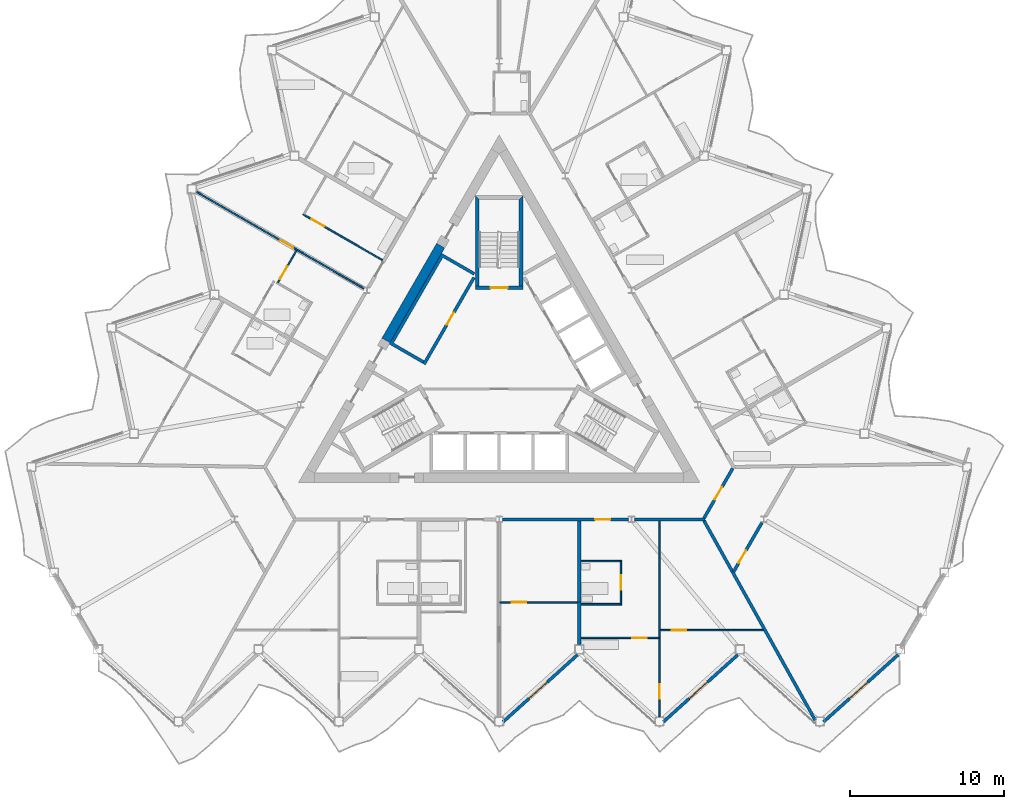
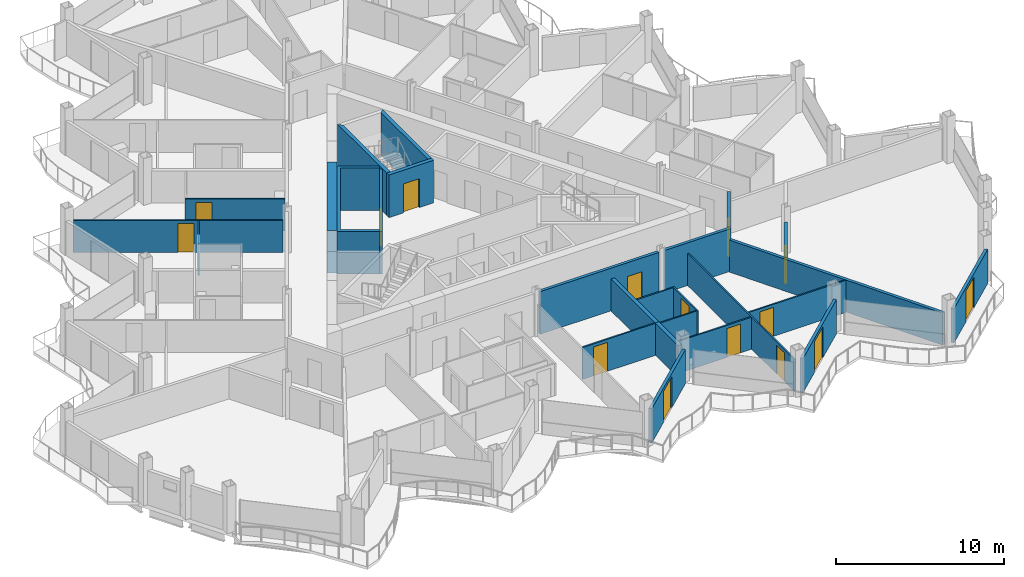
# One storey, part 15 of 26: 26 walls, 16 doors, 16 openings.
"""IFC4 building model written with IfcOpenShell, lengths in metres."""

from ifc_helpers import new_model, si_unit, direction, frame, frame_2d, origin, place, context, subcontext, project, spatial, polyline, rectangle, outline, extrude, material, layer, layer_set, type_object, element, fill, save


model = new_model("IFC4")

# Units and contexts
model_context = context("Model", 3, precision=1e-05, world=origin(), true_north=direction((0.0, 1.0)))
body_context = subcontext(model_context, "Body", "Model", "MODEL_VIEW")
ifc_project = project(units=[si_unit("LENGTHUNIT", "METRE"), si_unit("AREAUNIT", "SQUARE_METRE"), si_unit("VOLUMEUNIT", "CUBIC_METRE"), si_unit("PLANEANGLEUNIT", "RADIAN"), si_unit("MASSUNIT", "GRAM", prefix="KILO")], contexts=[model_context])

# Site, building, storey
site_placement = place(None, origin())
site = spatial("IfcSite", under=ifc_project, at=site_placement, CompositionType="ELEMENT")
building_placement = place(site_placement, origin())
building = spatial("IfcBuilding", under=site, at=building_placement, Name="Cormorant Prow Tower", CompositionType="ELEMENT")
storey_placement = place(building_placement, frame((0.0, 0.0, 329.0)))
storey = spatial("IfcBuildingStorey", under=building, at=storey_placement, Name="L73", CompositionType="ELEMENT", Elevation=329.0)

# Wall
ifc_material_1 = material(Name="Concrete 8000 psi", Category="concrete")
ifc_layer_1 = layer(ifc_material_1, 0.60009765625)
ifc_layer_set_1 = layer_set([ifc_layer_1], Name="Concrete 8000 psi")
wall_type_1 = type_object("IfcWallType", Name="Core shear wall 600", PredefinedType="SHEAR", material=ifc_layer_set_1)
wall_1_placement = place(storey_placement, frame((-3.794189453125, 7.839599609375, 0.0), z_axis=(0.0, 0.0, 1.0), x_axis=(-0.499974747889, -0.866039982607, 0.0)))
element("IfcWall", 1, at=wall_1_placement, inside=storey, type_object=wall_type_1, Name="Core wall", PredefinedType="SHEAR", context=body_context, shape_type="SweptSolid", body=[
    extrude(rectangle(XDim=7.092041015625, YDim=0.60009765625, at=frame_2d((3.5458984375, 0.0))), origin(), (0.0, 0.0, 1.0), 3.10009765625),
])

# Wall, opening, door
ifc_material_2 = material(Name="Gypsum board corridor wall")
ifc_layer_2 = layer(ifc_material_2, 0.199951171875)
ifc_layer_set_2 = layer_set([ifc_layer_2], Name="Gypsum board corridor wall")
wall_type_2 = type_object("IfcWallType", Name="Corridor wall 200", PredefinedType="PARTITIONING", material=ifc_layer_set_2)
wall_2_placement = place(storey_placement, frame((0.207763671875, -9.905517578125, 0.0), z_axis=(0.0, 0.0, 1.0), x_axis=(1.0, 0.0, 0.0)))
wall_2 = element("IfcWall", 2, at=wall_2_placement, inside=storey, type_object=wall_type_2, Name="Corridor wall", PredefinedType="PARTITIONING", context=body_context, shape_type="SweptSolid", body=[
    extrude(rectangle(XDim=8.1630859375, YDim=0.199951171875, at=frame_2d((4.08154296875, 0.0))), origin(), (0.0, 0.0, 1.0), 3.10009765625),
])
opening_1_placement = place(wall_2_placement, frame((6.00439453125, 0.0, 0.0)))
opening_1 = element("IfcOpeningElement", 3, at=opening_1_placement, cuts=wall_2, Name="Opening L73-F11", PredefinedType="OPENING", context=body_context, shape_type="SweptSolid", body=[
    extrude(rectangle(XDim=1.0, YDim=2.10009765625, at=frame_2d((0.5, 1.050048828125))), frame((0.0, 0.10986328125, 0.0), z_axis=(0.0, -1.0, 0.0), x_axis=(1.0, 0.0, 0.0)), (0.0, 0.0, 1.0), 0.219970703125),
])
ifc_material_3 = material(Name="Timber door leaf", Category="wood")
door_type_1 = type_object("IfcDoorType", Name="Flat or room entrance door 1000x2100", OperationType="NOTDEFINED", PredefinedType="DOOR", material=ifc_material_3)
door_1_placement = place(opening_1_placement, origin())
door_1 = element("IfcDoor", 4, at=door_1_placement, inside=storey, type_object=door_type_1, Name="Living room door", OperationType="SINGLE_SWING_LEFT", OverallHeight=2.10009765625, OverallWidth=1.0, PredefinedType="DOOR", context=body_context, shape_type="SweptSolid", body=[
    extrude(rectangle(XDim=1.0, YDim=2.10009765625, at=frame_2d((0.5, 1.050048828125))), frame((0.0, 0.02490234375, 0.0), z_axis=(0.0, -1.0, 0.0), x_axis=(1.0, 0.0, 0.0)), (0.0, 0.0, 1.0), 0.050048828125),
])
fill(opening_1, door_1)

# Wall
wall_3_placement = place(storey_placement, frame((8.7861328125, -9.905517578125, 0.0), z_axis=(0.0, 0.0, 1.0), x_axis=(1.0, 0.0, 0.0)))
element("IfcWall", 5, at=wall_3_placement, inside=storey, type_object=wall_type_2, Name="Corridor wall", PredefinedType="PARTITIONING", context=body_context, shape_type="SweptSolid", body=[
    extrude(rectangle(XDim=4.544677734375, YDim=0.199951171875, at=frame_2d((2.2724609375, 0.0))), origin(), (0.0, 0.0, 1.0), 3.10009765625),
])

# Wall, opening, door
wall_4_placement = place(storey_placement, frame((13.281005859375, -9.819091796875, 0.0), z_axis=(0.0, 0.0, 1.0), x_axis=(0.499958791762, 0.866049194065, 0.0)))
wall_4 = element("IfcWall", 6, at=wall_4_placement, inside=storey, type_object=wall_type_2, Name="Corridor wall", PredefinedType="PARTITIONING", context=body_context, shape_type="SweptSolid", body=[
    extrude(rectangle(XDim=3.725830078125, YDim=0.199951171875, at=frame_2d((1.86279296875, 0.0))), origin(), (0.0, 0.0, 1.0), 3.10009765625),
])
opening_2_placement = place(wall_4_placement, frame((1.387939453125, 0.0, 0.0)))
opening_2 = element("IfcOpeningElement", 7, at=opening_2_placement, cuts=wall_4, Name="Opening L73-F16", PredefinedType="OPENING", context=body_context, shape_type="SweptSolid", body=[
    extrude(rectangle(XDim=0.949951171875, YDim=2.10009765625, at=frame_2d((0.47509765625, 1.050048828125))), frame((0.0, 0.10986328125, 0.0), z_axis=(0.0, -1.0, 0.0), x_axis=(1.0, 0.0, 0.0)), (0.0, 0.0, 1.0), 0.219970703125),
])
ifc_material_4 = material(Name="Timber door leaf", Category="wood")
door_type_2 = type_object("IfcDoorType", Name="Store door 950x2100", OperationType="NOTDEFINED", PredefinedType="DOOR", material=ifc_material_4)
door_2_placement = place(opening_2_placement, origin())
door_2 = element("IfcDoor", 8, at=door_2_placement, inside=storey, type_object=door_type_2, Name="Refuse room door", OperationType="SINGLE_SWING_LEFT", OverallHeight=2.10009765625, OverallWidth=0.949951171875, PredefinedType="DOOR", context=body_context, shape_type="SweptSolid", body=[
    extrude(rectangle(XDim=0.949951171875, YDim=2.10009765625, at=frame_2d((0.47509765625, 1.050048828125))), frame((0.0, 0.02490234375, 0.0), z_axis=(0.0, -1.0, 0.0), x_axis=(1.0, 0.0, 0.0)), (0.0, 0.0, 1.0), 0.050048828125),
])
fill(opening_2, door_2)

# Wall
ifc_material_5 = material(Name="Gypsum board demising wall")
ifc_layer_3 = layer(ifc_material_5, 0.199951171875)
ifc_layer_set_3 = layer_set([ifc_layer_3], Name="Gypsum board demising wall")
wall_type_3 = type_object("IfcWallType", Name="Demising wall 200", PredefinedType="PARTITIONING", material=ifc_layer_set_3)
wall_5_placement = place(storey_placement, frame((13.279541015625, -9.992919921875, 0.0), z_axis=(0.0, 0.0, 1.0), x_axis=(0.486918292843, -0.873447523378, 0.0)))
element("IfcWall", 9, at=wall_5_placement, inside=storey, type_object=wall_type_3, Name="Demising wall", PredefinedType="PARTITIONING", context=body_context, shape_type="SweptSolid", body=[
    extrude(rectangle(XDim=14.80078125, YDim=0.199951171875, at=frame_2d((7.400390625, 0.0))), origin(), (0.0, 0.0, 1.0), 2.330078125),
])

# Wall, opening, door
wall_6_placement = place(storey_placement, frame((15.19384765625, -13.3056640625, 0.0), z_axis=(0.0, 0.0, 1.0), x_axis=(0.50002820729, 0.866009117685, 0.0)))
wall_6 = element("IfcWall", 10, at=wall_6_placement, inside=storey, type_object=wall_type_3, Name="Demising wall", PredefinedType="PARTITIONING", context=body_context, shape_type="SweptSolid", body=[
    extrude(rectangle(XDim=3.686279296875, YDim=0.199951171875, at=frame_2d((1.84326171875, 0.0))), origin(), (0.0, 0.0, 1.0), 2.330078125),
])
opening_3_placement = place(wall_6_placement, frame((0.656494140625, 0.0, 0.0)))
opening_3 = element("IfcOpeningElement", 11, at=opening_3_placement, cuts=wall_6, Name="Opening L73-F17", PredefinedType="OPENING", context=body_context, shape_type="SweptSolid", body=[
    extrude(rectangle(XDim=0.949951171875, YDim=2.10009765625, at=frame_2d((0.47509765625, 1.050048828125))), frame((0.0, 0.10986328125, 0.0), z_axis=(0.0, -1.0, 0.0), x_axis=(1.0, 0.0, 0.0)), (0.0, 0.0, 1.0), 0.219970703125),
])
door_3_placement = place(opening_3_placement, origin())
door_3 = element("IfcDoor", 12, at=door_3_placement, inside=storey, type_object=door_type_2, Name="Bicycle store door", OperationType="SINGLE_SWING_LEFT", OverallHeight=2.10009765625, OverallWidth=0.949951171875, PredefinedType="DOOR", context=body_context, shape_type="SweptSolid", body=[
    extrude(rectangle(XDim=0.949951171875, YDim=2.10009765625, at=frame_2d((0.47509765625, 1.050048828125))), frame((0.0, 0.02490234375, 0.0), z_axis=(0.0, -1.0, 0.0), x_axis=(1.0, 0.0, 0.0)), (0.0, 0.0, 1.0), 0.050048828125),
])
fill(opening_3, door_3)

ifc_material_6 = material(Name="Gypsum board partition")
ifc_layer_4 = layer(ifc_material_6, 0.10009765625)
ifc_layer_set_4 = layer_set([ifc_layer_4], Name="Gypsum board partition")
wall_type_4 = type_object("IfcWallType", Name="Internal partition 100", PredefinedType="PARTITIONING", material=ifc_layer_set_4)
wall_7_placement = place(storey_placement, frame((10.389404296875, -22.697998046875, 0.0), z_axis=(0.0, 0.0, 1.0), x_axis=(0.0, 1.0, 0.0)))
wall_7 = element("IfcWall", 13, at=wall_7_placement, inside=storey, type_object=wall_type_4, Name="Internal partition", PredefinedType="PARTITIONING", context=body_context, shape_type="SweptSolid", body=[
    extrude(rectangle(XDim=12.6923828125, YDim=0.10009765625, at=frame_2d((6.34619140625, 0.0))), origin(), (0.0, 0.0, 1.0), 2.330078125),
])
opening_4_placement = place(wall_7_placement, frame((1.1533203125, 0.0, 0.0)))
opening_4 = element("IfcOpeningElement", 14, at=opening_4_placement, cuts=wall_7, Name="Opening L73-F14", PredefinedType="OPENING", context=body_context, shape_type="SweptSolid", body=[
    extrude(rectangle(XDim=0.949951171875, YDim=2.10009765625, at=frame_2d((0.47509765625, 1.050048828125))), frame((0.0, 0.06005859375, 0.0), z_axis=(0.0, -1.0, 0.0), x_axis=(1.0, 0.0, 0.0)), (0.0, 0.0, 1.0), 0.1201171875),
])
ifc_material_7 = material(Name="Timber door leaf", Category="wood")
door_type_3 = type_object("IfcDoorType", Name="Bathroom door 950x2100", OperationType="NOTDEFINED", PredefinedType="DOOR", material=ifc_material_7)
door_4_placement = place(opening_4_placement, origin())
door_4 = element("IfcDoor", 15, at=door_4_placement, inside=storey, type_object=door_type_3, Name="Kitchen door", OperationType="SINGLE_SWING_LEFT", OverallHeight=2.10009765625, OverallWidth=0.949951171875, PredefinedType="DOOR", context=body_context, shape_type="SweptSolid", body=[
    extrude(rectangle(XDim=0.949951171875, YDim=2.10009765625, at=frame_2d((0.47509765625, 1.050048828125))), frame((0.0, 0.02490234375, 0.0), z_axis=(0.0, -1.0, 0.0), x_axis=(1.0, 0.0, 0.0)), (0.0, 0.0, 1.0), 0.050048828125),
])
fill(opening_4, door_4)

wall_8_placement = place(storey_placement, frame((-19.615478515625, 11.3251953125, 0.0), z_axis=(0.0, 0.0, 1.0), x_axis=(0.86602139559, -0.500006942333, 0.0)))
wall_8 = element("IfcWall", 16, at=wall_8_placement, inside=storey, type_object=wall_type_4, Name="Internal partition", PredefinedType="PARTITIONING", context=body_context, shape_type="SweptSolid", body=[
    extrude(rectangle(XDim=12.504638671875, YDim=0.10009765625, at=frame_2d((6.25244140625, 0.0))), origin(), (0.0, 0.0, 1.0), 2.330078125),
])
opening_5_placement = place(wall_8_placement, frame((6.27978515625, 0.0, 0.0)))
opening_5 = element("IfcOpeningElement", 17, at=opening_5_placement, cuts=wall_8, Name="Opening L73-F46", PredefinedType="OPENING", context=body_context, shape_type="SweptSolid", body=[
    extrude(rectangle(XDim=0.949951171875, YDim=2.10009765625, at=frame_2d((0.47509765625, 1.050048828125))), frame((0.0, 0.06005859375, 0.0), z_axis=(0.0, -1.0, 0.0), x_axis=(1.0, 0.0, 0.0)), (0.0, 0.0, 1.0), 0.1201171875),
])
door_5_placement = place(opening_5_placement, origin())
door_5 = element("IfcDoor", 18, at=door_5_placement, inside=storey, type_object=door_type_3, Name="Living room door", OperationType="SINGLE_SWING_RIGHT", OverallHeight=2.10009765625, OverallWidth=0.949951171875, PredefinedType="DOOR", context=body_context, shape_type="SweptSolid", body=[
    extrude(rectangle(XDim=0.949951171875, YDim=2.10009765625, at=frame_2d((0.47509765625, 1.050048828125))), frame((0.0, 0.02490234375, 0.0), z_axis=(0.0, -1.0, 0.0), x_axis=(1.0, 0.0, 0.0)), (0.0, 0.0, 1.0), 0.050048828125),
])
fill(opening_5, door_5)

wall_9_placement = place(storey_placement, frame((10.439453125, -17.083740234375, 0.0), z_axis=(0.0, 0.0, 1.0), x_axis=(1.0, 0.0, 0.0)))
wall_9 = element("IfcWall", 19, at=wall_9_placement, inside=storey, type_object=wall_type_4, Name="Internal partition", PredefinedType="PARTITIONING", context=body_context, shape_type="SweptSolid", body=[
    extrude(rectangle(XDim=6.69287109375, YDim=0.10009765625, at=frame_2d((3.346435546875, 0.0))), origin(), (0.0, 0.0, 1.0), 2.330078125),
])
opening_6_placement = place(wall_9_placement, frame((0.754150390625, 0.0, 0.0)))
opening_6 = element("IfcOpeningElement", 20, at=opening_6_placement, cuts=wall_9, Name="Opening L73-F15", PredefinedType="OPENING", context=body_context, shape_type="SweptSolid", body=[
    extrude(rectangle(XDim=0.949951171875, YDim=2.10009765625, at=frame_2d((0.47509765625, 1.050048828125))), frame((0.0, 0.06005859375, 0.0), z_axis=(0.0, -1.0, 0.0), x_axis=(1.0, 0.0, 0.0)), (0.0, 0.0, 1.0), 0.1201171875),
])
door_6_placement = place(opening_6_placement, origin())
door_6 = element("IfcDoor", 21, at=door_6_placement, inside=storey, type_object=door_type_3, Name="Bedroom door", OperationType="SINGLE_SWING_LEFT", OverallHeight=2.10009765625, OverallWidth=0.949951171875, PredefinedType="DOOR", context=body_context, shape_type="SweptSolid", body=[
    extrude(rectangle(XDim=0.949951171875, YDim=2.10009765625, at=frame_2d((0.47509765625, 1.050048828125))), frame((0.0, 0.02490234375, 0.0), z_axis=(0.0, -1.0, 0.0), x_axis=(1.0, 0.0, 0.0)), (0.0, 0.0, 1.0), 0.050048828125),
])
fill(opening_6, door_6)

wall_10_placement = place(storey_placement, frame((-12.720703125, 9.87841796875, 0.0), z_axis=(0.0, 0.0, 1.0), x_axis=(0.866027751316, -0.499995933934, 0.0)))
wall_10 = element("IfcWall", 22, at=wall_10_placement, inside=storey, type_object=wall_type_4, Name="Internal partition", PredefinedType="PARTITIONING", context=body_context, shape_type="SweptSolid", body=[
    extrude(rectangle(XDim=5.9501953125, YDim=0.10009765625, at=frame_2d((2.97509765625, 0.0))), origin(), (0.0, 0.0, 1.0), 2.330078125),
])
opening_7_placement = place(wall_10_placement, frame((0.64990234375, 0.0, 0.0)))
opening_7 = element("IfcOpeningElement", 23, at=opening_7_placement, cuts=wall_10, Name="Opening L73-F45", PredefinedType="OPENING", context=body_context, shape_type="SweptSolid", body=[
    extrude(rectangle(XDim=0.949951171875, YDim=2.10009765625, at=frame_2d((0.47509765625, 1.050048828125))), frame((0.0, 0.06005859375, 0.0), z_axis=(0.0, -1.0, 0.0), x_axis=(1.0, 0.0, 0.0)), (0.0, 0.0, 1.0), 0.1201171875),
])
door_7_placement = place(opening_7_placement, origin())
door_7 = element("IfcDoor", 24, at=door_7_placement, inside=storey, type_object=door_type_3, Name="Living room door", OperationType="SINGLE_SWING_LEFT", OverallHeight=2.10009765625, OverallWidth=0.949951171875, PredefinedType="DOOR", context=body_context, shape_type="SweptSolid", body=[
    extrude(rectangle(XDim=0.949951171875, YDim=2.10009765625, at=frame_2d((0.47509765625, 1.050048828125))), frame((0.0, 0.02490234375, 0.0), z_axis=(0.0, -1.0, 0.0), x_axis=(1.0, 0.0, 0.0)), (0.0, 0.0, 1.0), 0.050048828125),
])
fill(opening_7, door_7)

wall_11_placement = place(storey_placement, frame((5.319580078125, -17.591796875, 0.0), z_axis=(0.0, 0.0, 1.0), x_axis=(1.0, 0.0, 0.0)))
wall_11 = element("IfcWall", 25, at=wall_11_placement, inside=storey, type_object=wall_type_4, Name="Internal partition", PredefinedType="PARTITIONING", context=body_context, shape_type="SweptSolid", body=[
    extrude(rectangle(XDim=5.019775390625, YDim=0.10009765625, at=frame_2d((2.509765625, 0.0))), origin(), (0.0, 0.0, 1.0), 2.330078125),
])
opening_8_placement = place(wall_11_placement, frame((3.309814453125, 0.0, 0.0)))
opening_8 = element("IfcOpeningElement", 26, at=opening_8_placement, cuts=wall_11, Name="Opening L73-F13", PredefinedType="OPENING", context=body_context, shape_type="SweptSolid", body=[
    extrude(rectangle(XDim=0.949951171875, YDim=2.10009765625, at=frame_2d((0.47509765625, 1.050048828125))), frame((0.0, 0.06005859375, 0.0), z_axis=(0.0, -1.0, 0.0), x_axis=(1.0, 0.0, 0.0)), (0.0, 0.0, 1.0), 0.1201171875),
])
door_8_placement = place(opening_8_placement, origin())
door_8 = element("IfcDoor", 27, at=door_8_placement, inside=storey, type_object=door_type_3, Name="Living room door", OperationType="SINGLE_SWING_RIGHT", OverallHeight=2.10009765625, OverallWidth=0.949951171875, PredefinedType="DOOR", context=body_context, shape_type="SweptSolid", body=[
    extrude(rectangle(XDim=0.949951171875, YDim=2.10009765625, at=frame_2d((0.47509765625, 1.050048828125))), frame((0.0, 0.02490234375, 0.0), z_axis=(0.0, -1.0, 0.0), x_axis=(1.0, 0.0, 0.0)), (0.0, 0.0, 1.0), 0.050048828125),
])
fill(opening_8, door_8)

wall_12_placement = place(storey_placement, frame((0.050048828125, -15.28173828125, 0.0), z_axis=(0.0, 0.0, 1.0), x_axis=(1.0, 0.0, 0.0)))
wall_12 = element("IfcWall", 28, at=wall_12_placement, inside=storey, type_object=wall_type_4, Name="Internal partition", PredefinedType="PARTITIONING", context=body_context, shape_type="SweptSolid", body=[
    extrude(rectangle(XDim=5.01953125, YDim=0.10009765625, at=frame_2d((2.509765625, 0.0))), origin(), (0.0, 0.0, 1.0), 2.330078125),
])
opening_9_placement = place(wall_12_placement, frame((0.760009765625, 0.0, 0.0)))
opening_9 = element("IfcOpeningElement", 29, at=opening_9_placement, cuts=wall_12, Name="Opening L73-F09", PredefinedType="OPENING", context=body_context, shape_type="SweptSolid", body=[
    extrude(rectangle(XDim=0.949951171875, YDim=2.10009765625, at=frame_2d((0.47509765625, 1.050048828125))), frame((0.0, 0.06005859375, 0.0), z_axis=(0.0, -1.0, 0.0), x_axis=(1.0, 0.0, 0.0)), (0.0, 0.0, 1.0), 0.1201171875),
])
door_9_placement = place(opening_9_placement, origin())
door_9 = element("IfcDoor", 30, at=door_9_placement, inside=storey, type_object=door_type_3, Name="Bedroom door", OperationType="SINGLE_SWING_LEFT", OverallHeight=2.10009765625, OverallWidth=0.949951171875, PredefinedType="DOOR", context=body_context, shape_type="SweptSolid", body=[
    extrude(rectangle(XDim=0.949951171875, YDim=2.10009765625, at=frame_2d((0.47509765625, 1.050048828125))), frame((0.0, 0.02490234375, 0.0), z_axis=(0.0, -1.0, 0.0), x_axis=(1.0, 0.0, 0.0)), (0.0, 0.0, 1.0), 0.050048828125),
])
fill(opening_9, door_9)

wall_13_placement = place(storey_placement, frame((7.894775390625, -15.45556640625, 0.0), z_axis=(0.0, 0.0, 1.0), x_axis=(0.0, 1.0, 0.0)))
wall_13 = element("IfcWall", 31, at=wall_13_placement, inside=storey, type_object=wall_type_4, Name="Internal partition", PredefinedType="PARTITIONING", context=body_context, shape_type="SweptSolid", body=[
    extrude(rectangle(XDim=2.89990234375, YDim=0.10009765625, at=frame_2d((1.449951171875, 0.0))), origin(), (0.0, 0.0, 1.0), 2.330078125),
])
opening_10_placement = place(wall_13_placement, frame((0.97509765625, 0.0, 0.0)))
opening_10 = element("IfcOpeningElement", 32, at=opening_10_placement, cuts=wall_13, Name="Opening L73-F12", PredefinedType="OPENING", context=body_context, shape_type="SweptSolid", body=[
    extrude(rectangle(XDim=0.949951171875, YDim=2.10009765625, at=frame_2d((0.47509765625, 1.050048828125))), frame((0.0, 0.06005859375, 0.0), z_axis=(0.0, -1.0, 0.0), x_axis=(1.0, 0.0, 0.0)), (0.0, 0.0, 1.0), 0.1201171875),
])
door_10_placement = place(opening_10_placement, origin())
door_10 = element("IfcDoor", 33, at=door_10_placement, inside=storey, type_object=door_type_3, Name="Living room door", OperationType="SINGLE_SWING_RIGHT", OverallHeight=2.10009765625, OverallWidth=0.949951171875, PredefinedType="DOOR", context=body_context, shape_type="SweptSolid", body=[
    extrude(rectangle(XDim=0.949951171875, YDim=2.10009765625, at=frame_2d((0.47509765625, 1.050048828125))), frame((0.0, 0.02490234375, 0.0), z_axis=(0.0, -1.0, 0.0), x_axis=(1.0, 0.0, 0.0)), (0.0, 0.0, 1.0), 0.050048828125),
])
fill(opening_10, door_10)

# Walls
for number, where, z_axis, x_axis, name in (
    (34, (5.319580078125, -12.605712890625, 0.0), (0.0, 0.0, 1.0), (1.0, 0.0, 0.0), "Internal partition"),
    (35, (5.319580078125, -15.405517578125, 0.0), (0.0, 0.0, 1.0), (1.0, 0.0, 0.0), "Internal partition"),
):
    element("IfcWall", number, at=place(storey_placement, frame(where, z_axis=z_axis, x_axis=x_axis)), inside=storey, type_object=wall_type_4, Name=name, PredefinedType="PARTITIONING", context=body_context, shape_type="SweptSolid", body=[
        extrude(rectangle(XDim=2.525146484375, YDim=0.10009765625, at=frame_2d((1.2626953125, 0.0))), origin(), (0.0, 0.0, 1.0), 2.330078125),
    ])

# Wall, opening, door
wall_14_placement = place(storey_placement, frame((-14.340576171875, 5.45654296875, 0.0), z_axis=(0.0, 0.0, 1.0), x_axis=(0.499954846121, 0.866051471819, 0.0)))
wall_14 = element("IfcWall", 36, at=wall_14_placement, inside=storey, type_object=wall_type_4, Name="Internal partition", PredefinedType="PARTITIONING", context=body_context, shape_type="SweptSolid", body=[
    extrude(rectangle(XDim=2.394775390625, YDim=0.10009765625, at=frame_2d((1.197265625, 0.0))), origin(), (0.0, 0.0, 1.0), 2.330078125),
])
opening_11_placement = place(wall_14_placement, frame((0.25, 0.0, 0.0)))
opening_11 = element("IfcOpeningElement", 37, at=opening_11_placement, cuts=wall_14, Name="Opening L73-F47", PredefinedType="OPENING", context=body_context, shape_type="SweptSolid", body=[
    extrude(rectangle(XDim=0.949951171875, YDim=2.10009765625, at=frame_2d((0.47509765625, 1.050048828125))), frame((0.0, 0.06005859375, 0.0), z_axis=(0.0, -1.0, 0.0), x_axis=(1.0, 0.0, 0.0)), (0.0, 0.0, 1.0), 0.1201171875),
])
door_11_placement = place(opening_11_placement, origin())
door_11 = element("IfcDoor", 38, at=door_11_placement, inside=storey, type_object=door_type_3, Name="Bedroom door", OperationType="SINGLE_SWING_LEFT", OverallHeight=2.10009765625, OverallWidth=0.949951171875, PredefinedType="DOOR", context=body_context, shape_type="SweptSolid", body=[
    extrude(rectangle(XDim=0.949951171875, YDim=2.10009765625, at=frame_2d((0.47509765625, 1.050048828125))), frame((0.0, 0.02490234375, 0.0), z_axis=(0.0, -1.0, 0.0), x_axis=(1.0, 0.0, 0.0)), (0.0, 0.0, 1.0), 0.050048828125),
])
fill(opening_11, door_11)

ifc_material_8 = material(Name="Concrete 5000 psi", Category="concrete")
ifc_layer_5 = layer(ifc_material_8, 0.199951171875)
ifc_layer_set_5 = layer_set([ifc_layer_5], Name="Concrete 5000 psi")
wall_type_5 = type_object("IfcWallType", Name="Lift lobby wall 200", PredefinedType="SOLIDWALL", material=ifc_layer_set_5)
wall_15_placement = place(storey_placement, frame((-1.630615234375, 5.775634765625, 0.0), z_axis=(0.0, 0.0, 1.0), x_axis=(-0.499992876559, -0.866029516466, 0.0)))
wall_15 = element("IfcWall", 39, at=wall_15_placement, inside=storey, type_object=wall_type_5, Name="Lift lobby wall, WNW block", PredefinedType="SOLIDWALL", context=body_context, shape_type="SweptSolid", body=[
    extrude(rectangle(XDim=6.486328125, YDim=0.199951171875, at=frame_2d((3.2431640625, 0.0))), origin(), (0.0, 0.0, 1.0), 3.10009765625),
])
opening_12_placement = place(wall_15_placement, frame((2.63671875, 0.0, 0.0)))
opening_12 = element("IfcOpeningElement", 40, at=opening_12_placement, cuts=wall_15, Name="Opening L73-C09", PredefinedType="OPENING", context=body_context, shape_type="SweptSolid", body=[
    extrude(rectangle(XDim=0.89990234375, YDim=2.10009765625, at=frame_2d((0.449951171875, 1.050048828125))), frame((0.0, 0.10986328125, 0.0), z_axis=(0.0, -1.0, 0.0), x_axis=(1.0, 0.0, 0.0)), (0.0, 0.0, 1.0), 0.219970703125),
])
ifc_material_9 = material(Name="Painted steel", Category="steel")
door_type_4 = type_object("IfcDoorType", Name="Service door 900x2100", OperationType="NOTDEFINED", PredefinedType="DOOR", material=ifc_material_9)
door_12_placement = place(opening_12_placement, origin())
door_12 = element("IfcDoor", 41, at=door_12_placement, inside=storey, type_object=door_type_4, Name="Service door, Pantry store", OperationType="SINGLE_SWING_RIGHT", OverallHeight=2.10009765625, OverallWidth=0.89990234375, PredefinedType="DOOR", context=body_context, shape_type="SweptSolid", body=[
    extrude(rectangle(XDim=0.89990234375, YDim=2.10009765625, at=frame_2d((0.449951171875, 1.050048828125))), frame((0.0, 0.02490234375, 0.0), z_axis=(0.0, -1.0, 0.0), x_axis=(1.0, 0.0, 0.0)), (0.0, 0.0, 1.0), 0.050048828125),
])
fill(opening_12, door_12)

# Walls
ifc_material_10 = material(Name="Concrete 8000 psi", Category="concrete")
ifc_layer_6 = layer(ifc_material_10, 0.199951171875)
ifc_layer_set_6 = layer_set([ifc_layer_6], Name="Concrete 8000 psi")
wall_type_6 = type_object("IfcWallType", Name="Lift shaft wall 200", PredefinedType="SHEAR", material=ifc_layer_set_6)
wall_16_placement = place(storey_placement, origin())
element("IfcWall", 42, at=wall_16_placement, inside=storey, type_object=wall_type_6, Name="Lift shaft walls, WNW block", PredefinedType="SHEAR", context=body_context, shape_type="SweptSolid", body=[
    extrude(outline(polyline([(-4.96044921875, 0.2080078125), (-7.130859375, 1.461181640625), (-3.730712890625, 7.35009765625), (-1.560546875, 6.09716796875), (-1.660400390625, 5.923828125), (-3.65234375, 7.073974609375), (-6.852294921875, 1.53125), (-4.860595703125, 0.38134765625), (-4.96044921875, 0.2080078125)])), origin(), (0.0, 0.0, 1.0), 3.10009765625),
])
ifc_material_11 = material(Name="Concrete 8000 psi", Category="concrete")
ifc_layer_7 = layer(ifc_material_11, 0.25)
ifc_layer_set_7 = layer_set([ifc_layer_7], Name="Concrete 8000 psi")
wall_type_7 = type_object("IfcWallType", Name="Stair wall 250", PredefinedType="SHEAR", material=ifc_layer_set_7)
wall_17_placement = place(storey_placement, origin())
element("IfcWall", 43, at=wall_17_placement, inside=storey, type_object=wall_type_7, Name="Stair ST3 enclosure wall (flank)", PredefinedType="SHEAR", context=body_context, shape_type="SweptSolid", body=[
    extrude(outline(polyline([(1.5439453125, 5.23681640625), (1.5439453125, 11.0869140625), (1.2939453125, 10.8369140625), (1.2939453125, 5.23681640625), (1.5439453125, 5.23681640625)])), origin(), (0.0, 0.0, 1.0), 3.10009765625),
])
wall_18_placement = place(storey_placement, origin())
element("IfcWall", 44, at=wall_18_placement, inside=storey, type_object=wall_type_7, Name="Stair ST3 enclosure wall (flank)", PredefinedType="SHEAR", context=body_context, shape_type="SweptSolid", body=[
    extrude(outline(polyline([(-1.2939453125, 10.8369140625), (-1.5439453125, 11.0869140625), (-1.5439453125, 5.23681640625), (-1.2939453125, 5.23681640625), (-1.2939453125, 10.8369140625)])), origin(), (0.0, 0.0, 1.0), 3.10009765625),
])

# Wall, opening, door
wall_19_placement = place(storey_placement, frame((1.5439453125, 5.11181640625, 0.0), z_axis=(0.0, 0.0, 1.0), x_axis=(-1.0, 0.0, 0.0)))
wall_19 = element("IfcWall", 45, at=wall_19_placement, inside=storey, type_object=wall_type_7, Name="Stair ST3 door wall", PredefinedType="SHEAR", context=body_context, shape_type="SweptSolid", body=[
    extrude(rectangle(XDim=3.087890625, YDim=0.25, at=frame_2d((1.5439453125, 0.0))), origin(), (0.0, 0.0, 1.0), 3.10009765625),
])
opening_13_placement = place(wall_19_placement, frame((0.993896484375, 0.0, 0.0)))
opening_13 = element("IfcOpeningElement", 46, at=opening_13_placement, cuts=wall_19, Name="Opening L73-C13", PredefinedType="OPENING", context=body_context, shape_type="SweptSolid", body=[
    extrude(rectangle(XDim=1.10009765625, YDim=2.10009765625, at=frame_2d((0.550048828125, 1.050048828125))), frame((0.0, 0.135009765625, 0.0), z_axis=(0.0, -1.0, 0.0), x_axis=(1.0, 0.0, 0.0)), (0.0, 0.0, 1.0), 0.27001953125),
])
ifc_material_12 = material(Name="Painted steel", Category="steel")
door_type_5 = type_object("IfcDoorType", Name="Stair door 1100x2100", OperationType="NOTDEFINED", PredefinedType="DOOR", material=ifc_material_12)
door_13_placement = place(opening_13_placement, origin())
door_13 = element("IfcDoor", 47, at=door_13_placement, inside=storey, type_object=door_type_5, Name="Stair ST3 door", OperationType="SINGLE_SWING_LEFT", OverallHeight=2.10009765625, OverallWidth=1.10009765625, PredefinedType="DOOR", context=body_context, shape_type="SweptSolid", body=[
    extrude(rectangle(XDim=1.10009765625, YDim=2.10009765625, at=frame_2d((0.550048828125, 1.050048828125))), frame((0.0, 0.02490234375, 0.0), z_axis=(0.0, -1.0, 0.0), x_axis=(1.0, 0.0, 0.0)), (0.0, 0.0, 1.0), 0.050048828125),
])
fill(opening_13, door_13)

# Walls
ifc_material_13 = material(Name="Acoustic gypsum party wall")
ifc_layer_8 = layer(ifc_material_13, 0.25)
ifc_layer_set_8 = layer_set([ifc_layer_8], Name="Acoustic gypsum party wall")
wall_type_8 = type_object("IfcWallType", Name="Suite party wall 250", PredefinedType="PARTITIONING", material=ifc_layer_set_8)
wall_20_placement = place(storey_placement, frame((5.194580078125, -15.40673828125, 0.0), z_axis=(0.0, 0.0, 1.0), x_axis=(0.0, 1.0, 0.0)))
element("IfcWall", 48, at=wall_20_placement, inside=storey, type_object=wall_type_8, Name="Suite party wall", PredefinedType="PARTITIONING", context=body_context, shape_type="SweptSolid", body=[
    extrude(rectangle(XDim=5.401123046875, YDim=0.25, at=frame_2d((2.70068359375, 0.0))), origin(), (0.0, 0.0, 1.0), 2.330078125),
])
wall_21_placement = place(storey_placement, frame((5.194580078125, -18.016845703125, 0.0), z_axis=(0.0, 0.0, 1.0), x_axis=(0.0, 1.0, 0.0)))
element("IfcWall", 49, at=wall_21_placement, inside=storey, type_object=wall_type_8, Name="Suite party wall", PredefinedType="PARTITIONING", context=body_context, shape_type="SweptSolid", body=[
    extrude(rectangle(XDim=2.746337890625, YDim=0.25, at=frame_2d((1.373046875, 0.0))), origin(), (0.0, 0.0, 1.0), 2.330078125),
])

# Wall, opening, door
ifc_material_14 = material(Name="Terracotta", Category="masonry")
ifc_layer_9 = layer(ifc_material_14, 0.199951171875)
ifc_layer_set_9 = layer_set([ifc_layer_9], Name="Terracotta")
wall_type_9 = type_object("IfcWallType", Name="Terracotta jamb wall 200", PredefinedType="SOLIDWALL", material=ifc_layer_set_9)
wall_22_placement = place(storey_placement, frame((0.255615234375, -23.03076171875, 0.0), z_axis=(0.0, 0.0, 1.0), x_axis=(0.743138937876, 0.669137145145, 0.0)))
wall_22 = element("IfcWall", 50, at=wall_22_placement, inside=storey, type_object=wall_type_9, Name="Terracotta jamb wall S05", PredefinedType="SOLIDWALL", context=body_context, shape_type="SweptSolid", body=[
    extrude(rectangle(XDim=6.49267578125, YDim=0.199951171875, at=frame_2d((3.246337890625, 0.0))), origin(), (0.0, 0.0, 1.0), 2.48779296875),
])
opening_14_placement = place(wall_22_placement, frame((2.260986328125, 0.0, 0.0)))
opening_14 = element("IfcOpeningElement", 51, at=opening_14_placement, cuts=wall_22, Name="Opening ED73.03", PredefinedType="OPENING", context=body_context, shape_type="SweptSolid", body=[
    extrude(rectangle(XDim=1.60009765625, YDim=2.25, at=frame_2d((0.800048828125, 1.125))), frame((0.0, 0.10986328125, 0.0), z_axis=(0.0, -1.0, 0.0), x_axis=(1.0, 0.0, 0.0)), (0.0, 0.0, 1.0), 0.219970703125),
])
ifc_material_15 = material(Name="Aluminium 6063-T6", Category="aluminium")
door_type_6 = type_object("IfcDoorType", Name="Balcony door 1600x2250", OperationType="DOUBLE_DOOR_SINGLE_SWING", PredefinedType="DOOR", material=ifc_material_15)
door_14_placement = place(opening_14_placement, origin())
door_14 = element("IfcDoor", 52, at=door_14_placement, inside=storey, type_object=door_type_6, Name="Balcony door S05 ED73.03", OperationType="DOUBLE_DOOR_SINGLE_SWING", OverallHeight=2.25, OverallWidth=1.60009765625, PredefinedType="DOOR", context=body_context, shape_type="SweptSolid", body=[
    extrude(rectangle(XDim=1.60009765625, YDim=2.25, at=frame_2d((0.800048828125, 1.125))), frame((0.0, 0.02490234375, 0.0), z_axis=(0.0, -1.0, 0.0), x_axis=(1.0, 0.0, 0.0)), (0.0, 0.0, 1.0), 0.050048828125),
])
fill(opening_14, door_14)

wall_23_placement = place(storey_placement, frame((10.64501953125, -23.03076171875, 0.0), z_axis=(0.0, 0.0, 1.0), x_axis=(0.743138937876, 0.669137145145, 0.0)))
wall_23 = element("IfcWall", 53, at=wall_23_placement, inside=storey, type_object=wall_type_9, Name="Terracotta jamb wall S07", PredefinedType="SOLIDWALL", context=body_context, shape_type="SweptSolid", body=[
    extrude(rectangle(XDim=6.49267578125, YDim=0.199951171875, at=frame_2d((3.246337890625, 0.0))), origin(), (0.0, 0.0, 1.0), 2.48779296875),
])
opening_15_placement = place(wall_23_placement, frame((2.260986328125, 0.0, 0.0)))
opening_15 = element("IfcOpeningElement", 54, at=opening_15_placement, cuts=wall_23, Name="Opening ED73.04", PredefinedType="OPENING", context=body_context, shape_type="SweptSolid", body=[
    extrude(rectangle(XDim=1.60009765625, YDim=2.25, at=frame_2d((0.800048828125, 1.125))), frame((0.0, 0.10986328125, 0.0), z_axis=(0.0, -1.0, 0.0), x_axis=(1.0, 0.0, 0.0)), (0.0, 0.0, 1.0), 0.219970703125),
])
door_15_placement = place(opening_15_placement, origin())
door_15 = element("IfcDoor", 55, at=door_15_placement, inside=storey, type_object=door_type_6, Name="Balcony door S07 ED73.04", OperationType="DOUBLE_DOOR_SINGLE_SWING", OverallHeight=2.25, OverallWidth=1.60009765625, PredefinedType="DOOR", context=body_context, shape_type="SweptSolid", body=[
    extrude(rectangle(XDim=1.60009765625, YDim=2.25, at=frame_2d((0.800048828125, 1.125))), frame((0.0, 0.02490234375, 0.0), z_axis=(0.0, -1.0, 0.0), x_axis=(1.0, 0.0, 0.0)), (0.0, 0.0, 1.0), 0.050048828125),
])
fill(opening_15, door_15)

wall_24_placement = place(storey_placement, frame((21.034423828125, -23.03076171875, 0.0), z_axis=(0.0, 0.0, 1.0), x_axis=(0.743138937876, 0.669137145145, 0.0)))
wall_24 = element("IfcWall", 56, at=wall_24_placement, inside=storey, type_object=wall_type_9, Name="Terracotta jamb wall S09", PredefinedType="SOLIDWALL", context=body_context, shape_type="SweptSolid", body=[
    extrude(rectangle(XDim=6.49267578125, YDim=0.199951171875, at=frame_2d((3.246337890625, 0.0))), origin(), (0.0, 0.0, 1.0), 2.48779296875),
])
opening_16_placement = place(wall_24_placement, frame((2.260986328125, 0.0, 0.0)))
opening_16 = element("IfcOpeningElement", 57, at=opening_16_placement, cuts=wall_24, Name="Opening ED73.05", PredefinedType="OPENING", context=body_context, shape_type="SweptSolid", body=[
    extrude(rectangle(XDim=1.60009765625, YDim=2.25, at=frame_2d((0.800048828125, 1.125))), frame((0.0, 0.10986328125, 0.0), z_axis=(0.0, -1.0, 0.0), x_axis=(1.0, 0.0, 0.0)), (0.0, 0.0, 1.0), 0.219970703125),
])
door_16_placement = place(opening_16_placement, origin())
door_16 = element("IfcDoor", 58, at=door_16_placement, inside=storey, type_object=door_type_6, Name="Balcony door S09 ED73.05", OperationType="DOUBLE_DOOR_SINGLE_SWING", OverallHeight=2.25, OverallWidth=1.60009765625, PredefinedType="DOOR", context=body_context, shape_type="SweptSolid", body=[
    extrude(rectangle(XDim=1.60009765625, YDim=2.25, at=frame_2d((0.800048828125, 1.125))), frame((0.0, 0.02490234375, 0.0), z_axis=(0.0, -1.0, 0.0), x_axis=(1.0, 0.0, 0.0)), (0.0, 0.0, 1.0), 0.050048828125),
])
fill(opening_16, door_16)

save(model, "model.ifc")
